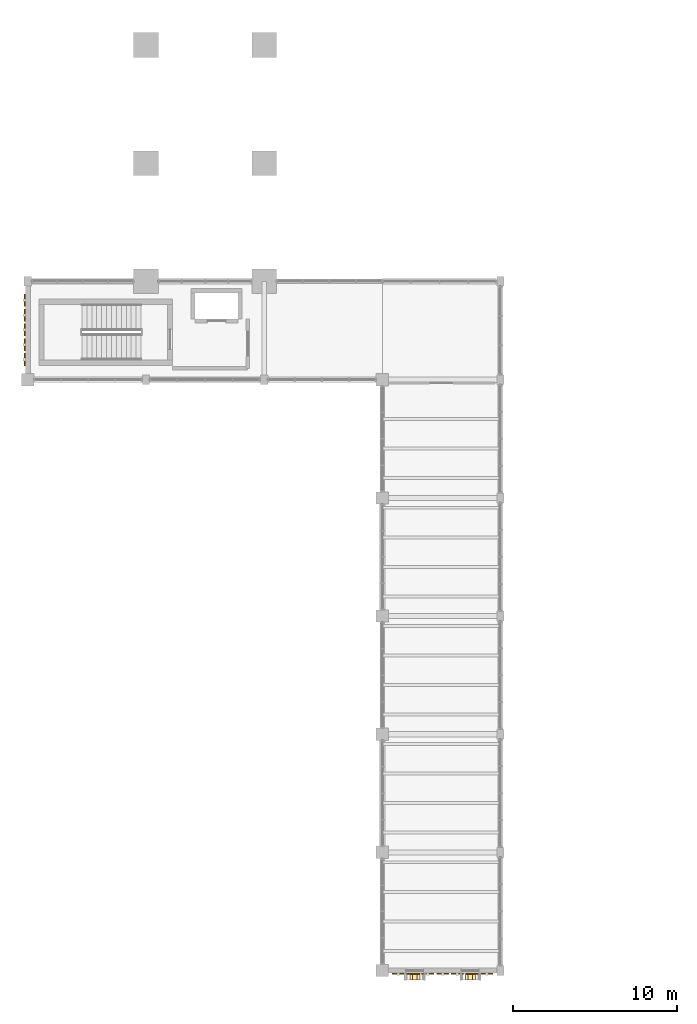
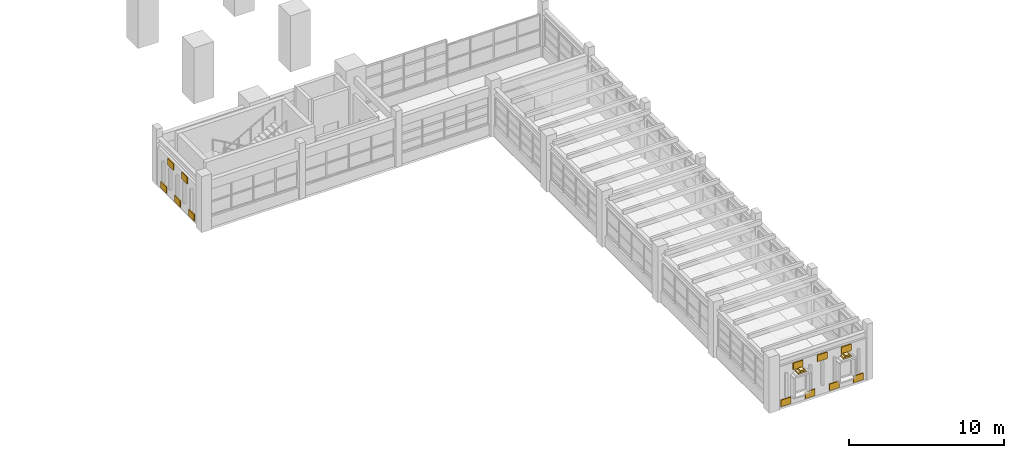
# One storey, part 64 of 69: 16 coverings.
"""IFC4 building model written with IfcOpenShell, lengths in metres."""

from ifc_helpers import new_model, si_unit, direction, frame, origin, origin_2d, place, context, subcontext, project, spatial, rectangle, extrude, material, layer, layer_set, type_object, element, save


model = new_model("IFC4")

# Units and contexts
model_context = context("Model", 3, precision=1e-05, world=origin(), true_north=direction((0.0, 1.0)))
body_context = subcontext(model_context, "Body", "Model", "MODEL_VIEW")
ifc_project = project(units=[si_unit("LENGTHUNIT", "METRE"), si_unit("AREAUNIT", "SQUARE_METRE"), si_unit("VOLUMEUNIT", "CUBIC_METRE"), si_unit("PLANEANGLEUNIT", "RADIAN"), si_unit("MASSUNIT", "GRAM", prefix="KILO")], contexts=[model_context])

# Site, building, storey
site_placement = place(None, origin())
site = spatial("IfcSite", under=ifc_project, at=site_placement, CompositionType="ELEMENT")
building_placement = place(site_placement, origin())
building = spatial("IfcBuilding", under=site, at=building_placement, Name="Nzembalo Square Collegiate School", CompositionType="ELEMENT")
storey_placement = place(building_placement, frame((0.0, 0.0, 5.10009765625)))
storey = spatial("IfcBuildingStorey", under=building, at=storey_placement, Name="L01", CompositionType="ELEMENT", Elevation=5.10009765625)

# Coverings
ifc_material_1 = material(Name="Glazed cobalt ceramic patterned tile")
ifc_layer_1 = layer(ifc_material_1, 0.074951171875, Name="Glazed cobalt ceramic patterned tile")
ifc_layer_set_1 = layer_set([ifc_layer_1], Name="Glazed cobalt ceramic patterned tile")
covering_type_1 = type_object("IfcCoveringType", Name="CL01", PredefinedType="CLADDING", material=ifc_layer_set_1)
for number, where, z_axis, x_axis, name in (
    (1, (8.222412109375, 45.637451171875, 0.099853515625), (0.0, 0.0, 1.0), (1.0, 0.0, 0.0), "Patterned ceramic tile CL01-Y0097-0-0"),
    (2, (8.222412109375, 46.53759765625, 2.48388671875), (0.0, 0.0, 1.0), (1.0, 0.0, 0.0), "Patterned ceramic tile CL01-Y0097-1-1"),
    (3, (8.222412109375, 47.4375, 0.099853515625), (0.0, 0.0, 1.0), (1.0, 0.0, 0.0), "Patterned ceramic tile CL01-Y0097-2-0"),
    (4, (8.222412109375, 48.33740234375, 2.48388671875), (0.0, 0.0, 1.0), (1.0, 0.0, 0.0), "Patterned ceramic tile CL01-Y0097-3-1"),
    (5, (8.222412109375, 49.237548828125, 0.099853515625), (0.0, 0.0, 1.0), (1.0, 0.0, 0.0), "Patterned ceramic tile CL01-Y0097-4-0"),
):
    element("IfcCovering", number, at=place(storey_placement, frame(where, z_axis=z_axis, x_axis=x_axis)), inside=storey, type_object=covering_type_1, Name=name, PredefinedType="CLADDING", context=body_context, shape_type="SweptSolid", body=[
        extrude(rectangle(XDim=0.074951171875, YDim=0.739990234375, at=origin_2d()), origin(), (0.0, 0.0, 1.0), 0.52001953125),
    ])
for number, where, z_axis, x_axis, name in (
    (6, (30.97509765625, 8.21240234375, 0.099853515625), (0.0, 0.0, 1.0), (1.0, 0.0, 0.0), "Patterned ceramic tile CL01-X0098-0-0"),
    (7, (31.875, 8.21240234375, 2.703857421875), (0.0, 0.0, 1.0), (1.0, 0.0, 0.0), "Patterned ceramic tile CL01-X0098-1-1"),
    (8, (32.77490234375, 8.21240234375, 0.099853515625), (0.0, 0.0, 1.0), (1.0, 0.0, 0.0), "Patterned ceramic tile CL01-X0098-2-0"),
    (9, (33.675048828125, 8.21240234375, 2.703857421875), (0.0, 0.0, 1.0), (1.0, 0.0, 0.0), "Patterned ceramic tile CL01-X0098-3-1"),
    (10, (34.574951171875, 8.21240234375, 0.099853515625), (0.0, 0.0, 1.0), (1.0, 0.0, 0.0), "Patterned ceramic tile CL01-X0098-4-0"),
    (11, (35.47509765625, 8.21240234375, 2.703857421875), (0.0, 0.0, 1.0), (1.0, 0.0, 0.0), "Patterned ceramic tile CL01-X0098-5-1"),
    (12, (36.375, 8.21240234375, 0.099853515625), (0.0, 0.0, 1.0), (1.0, 0.0, 0.0), "Patterned ceramic tile CL01-X0098-6-0"),
):
    element("IfcCovering", number, at=place(storey_placement, frame(where, z_axis=z_axis, x_axis=x_axis)), inside=storey, type_object=covering_type_1, Name=name, PredefinedType="CLADDING", context=body_context, shape_type="SweptSolid", body=[
        extrude(rectangle(XDim=0.739990234375, YDim=0.074951171875, at=origin_2d()), origin(), (0.0, 0.0, 1.0), 0.52001953125),
    ])
ifc_material_2 = material(Name="Glazed celadon ceramic window frame")
ifc_layer_2 = layer(ifc_material_2, 0.419921875, Name="Glazed celadon ceramic window frame")
ifc_layer_set_2 = layer_set([ifc_layer_2], Name="Glazed celadon ceramic window frame")
covering_type_2 = type_object("IfcCoveringType", Name="WF01", PredefinedType="CLADDING", material=ifc_layer_set_2)
covering_1_placement = place(storey_placement, frame((31.9833984375, 8.034912109375, 2.479736328125), z_axis=(0.0, 0.0, 1.0), x_axis=(1.0, 0.0, 0.0)))
element("IfcCovering", 13, at=covering_1_placement, inside=storey, type_object=covering_type_2, Name="Pointed lancet gable WF01-0162-2", PredefinedType="CLADDING", context=body_context, shape_type="SweptSolid", body=[
    extrude(rectangle(XDim=0.60009765625, YDim=0.419921875, at=origin_2d()), origin(), (0.0, 0.0, 1.0), 0.1201171875),
])
covering_2_placement = place(storey_placement, frame((31.9833984375, 8.034912109375, 2.599853515625), z_axis=(0.0, 0.0, 1.0), x_axis=(1.0, 0.0, 0.0)))
element("IfcCovering", 14, at=covering_2_placement, inside=storey, type_object=covering_type_2, Name="Pointed lancet gable WF01-0162-3", PredefinedType="CLADDING", context=body_context, shape_type="SweptSolid", body=[
    extrude(rectangle(XDim=0.27490234375, YDim=0.419921875, at=origin_2d()), origin(), (0.0, 0.0, 1.0), 0.1201171875),
])
covering_3_placement = place(storey_placement, frame((35.366455078125, 8.034912109375, 2.479736328125), z_axis=(0.0, 0.0, 1.0), x_axis=(1.0, 0.0, 0.0)))
element("IfcCovering", 15, at=covering_3_placement, inside=storey, type_object=covering_type_2, Name="Pointed lancet gable WF01-0163-2", PredefinedType="CLADDING", context=body_context, shape_type="SweptSolid", body=[
    extrude(rectangle(XDim=0.60009765625, YDim=0.419921875, at=origin_2d()), origin(), (0.0, 0.0, 1.0), 0.1201171875),
])
covering_4_placement = place(storey_placement, frame((35.366455078125, 8.034912109375, 2.599853515625), z_axis=(0.0, 0.0, 1.0), x_axis=(1.0, 0.0, 0.0)))
element("IfcCovering", 16, at=covering_4_placement, inside=storey, type_object=covering_type_2, Name="Pointed lancet gable WF01-0163-3", PredefinedType="CLADDING", context=body_context, shape_type="SweptSolid", body=[
    extrude(rectangle(XDim=0.27490234375, YDim=0.419921875, at=origin_2d()), origin(), (0.0, 0.0, 1.0), 0.1201171875),
])

save(model, "model.ifc")
